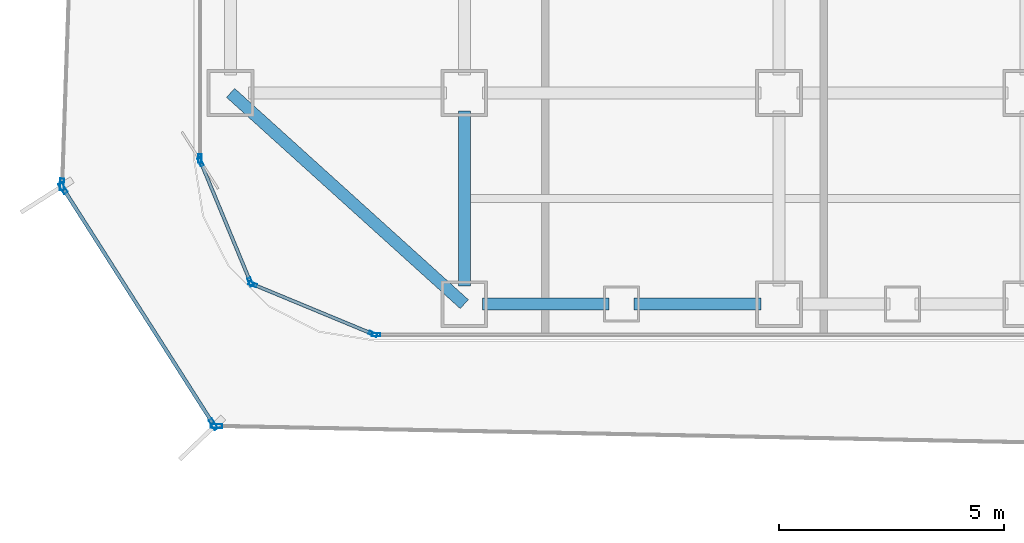
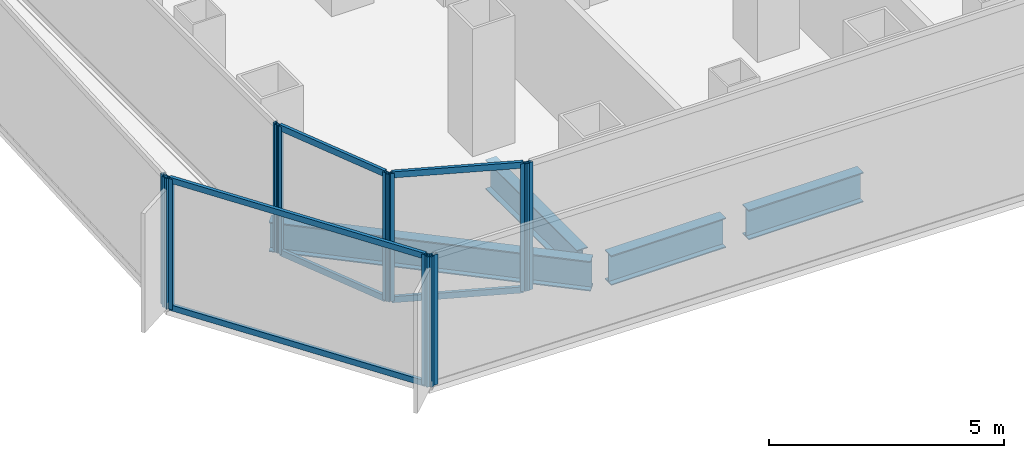
# One storey, part 2 of 22: 16 members, 4 beams, 7 elements without a shape of their own.
"""IFC4 building model written with IfcOpenShell, lengths in metres."""

from ifc_helpers import new_model, si_unit, direction, frame, origin, origin_2d, place, context, subcontext, project, spatial, hollow_rectangle, i_section, extrude, source, transform, mapped, material, layer, layer_set, material_profile, profile_set, type_object, element, aggregate, save


model = new_model("IFC4")

# Units and contexts
model_context = context("Model", 3, precision=1e-05, world=origin(), true_north=direction((0.0, 1.0)))
body_context = subcontext(model_context, "Body", "Model", "MODEL_VIEW")
ifc_project = project(units=[si_unit("LENGTHUNIT", "METRE"), si_unit("AREAUNIT", "SQUARE_METRE"), si_unit("VOLUMEUNIT", "CUBIC_METRE"), si_unit("PLANEANGLEUNIT", "RADIAN"), si_unit("MASSUNIT", "GRAM", prefix="KILO")], contexts=[model_context])

# Site, building, storey
site_placement = place(None, origin())
site = spatial("IfcSite", under=ifc_project, at=site_placement, CompositionType="ELEMENT")
building_placement = place(site_placement, origin())
building = spatial("IfcBuilding", under=site, at=building_placement, Name="Kolveth Station Tower", CompositionType="ELEMENT")
storey_placement = place(building_placement, frame((0.0, 0.0, 65.699951171875)))
storey = spatial("IfcBuildingStorey", under=building, at=storey_placement, Name="L17", CompositionType="ELEMENT", Elevation=65.699951171875)

# Beams
ifc_material_1 = material(Name="Steel S355", Category="steel")
ifc_material_profile_1 = material_profile(ifc_material_1, i_section(OverallWidth=0.26904296875, OverallDepth=0.77490234375, WebThickness=0.01708984375, FlangeThickness=0.0283203125, at=origin_2d()), Name="W760x220")
ifc_profile_set_1 = profile_set([ifc_material_profile_1], Name="Steel S355")
beam_type_1 = type_object("IfcBeamType", Name="Beam_SP1", PredefinedType="SPANDREL", material=ifc_profile_set_1)
shared_shape_1 = source(origin(), body_context, "Body", "SweptSolid", [
    extrude(i_section(OverallWidth=0.26904296875, OverallDepth=0.77490234375, WebThickness=0.01708984375, FlangeThickness=0.0283203125, at=origin_2d()), origin(), (0.0, 0.0, 1.0), 7.00927734375),
])
beam_1_placement = place(storey_placement, frame((0.800048828125, 5.5, -0.66748046875), z_axis=(0.741874009795, -0.670539300557, 0.0), x_axis=(0.670539300557, 0.741874009795, 0.0)))
element("IfcBeam", 1, at=beam_1_placement, inside=storey, type_object=beam_type_1, Name="L17 Corner Edge Girder BM-L17-CNR-SW", PredefinedType="SPANDREL", context=body_context, shape_type="MappedRepresentation", body=[
    mapped(shared_shape_1, transform((0.0, 0.0, 0.0), x_axis=(1.0, 0.0, 0.0), y_axis=(0.0, 1.0, 0.0), z_axis=(0.0, 0.0, 1.0), scale=1.0)),
])
shared_shape_2 = source(origin(), body_context, "Body", "SweptSolid", [
    extrude(i_section(OverallWidth=0.26904296875, OverallDepth=0.77490234375, WebThickness=0.01708984375, FlangeThickness=0.0283203125, at=origin_2d()), origin(), (0.0, 0.0, 1.0), 2.820068359375),
])
for number, where, z_axis, x_axis, name in (
    (2, (6.39990234375, 0.800048828125, -0.66748046875), (1.0, 0.0, 0.0), (0.0, 1.0, 0.0), "L17 Perimeter Spandrel BM-L17-PS-1"),
    (3, (9.780029296875, 0.800048828125, -0.66748046875), (1.0, 0.0, 0.0), (0.0, 1.0, 0.0), "L17 Perimeter Spandrel BM-L17-PS-2"),
):
    element("IfcBeam", number, at=place(storey_placement, frame(where, z_axis=z_axis, x_axis=x_axis)), inside=storey, type_object=beam_type_1, Name=name, PredefinedType="SPANDREL", context=body_context, shape_type="MappedRepresentation", body=[
        mapped(shared_shape_2, transform((0.0, 0.0, 0.0), x_axis=(1.0, 0.0, 0.0), y_axis=(0.0, 1.0, 0.0), z_axis=(0.0, 0.0, 1.0), scale=1.0)),
    ])
ifc_material_profile_2 = material_profile(ifc_material_1, i_section(OverallWidth=0.26708984375, OverallDepth=0.76611328125, WebThickness=0.014892578125, FlangeThickness=0.023681640625, at=origin_2d()), Name="W760x185")
ifc_profile_set_2 = profile_set([ifc_material_profile_2], Name="Steel S355")
beam_type_2 = type_object("IfcBeamType", Name="Beam_B3", PredefinedType="BEAM", material=ifc_profile_set_2)
shared_shape_3 = source(origin(), body_context, "Body", "SweptSolid", [
    extrude(i_section(OverallWidth=0.26708984375, OverallDepth=0.76611328125, WebThickness=0.014892578125, FlangeThickness=0.023681640625, at=origin_2d()), origin(), (0.0, 0.0, 1.0), 3.900146484375),
])
beam_2_placement = place(storey_placement, frame((6.0, 1.199951171875, -0.662841796875), z_axis=(0.0, 1.0, 0.0), x_axis=(-1.0, 0.0, 0.0)))
element("IfcBeam", 4, at=beam_2_placement, inside=storey, type_object=beam_type_2, Name="L17 Primary Girder BM-L17-GX60-1", PredefinedType="BEAM", context=body_context, shape_type="MappedRepresentation", body=[
    mapped(shared_shape_3, transform((0.0, 0.0, 0.0), x_axis=(1.0, 0.0, 0.0), y_axis=(0.0, 1.0, 0.0), z_axis=(0.0, 0.0, 1.0), scale=1.0)),
])

# Curtain wall, member
ifc_material_2 = material(Name="Aluminium 6063-T6 and low-E dark glass", Category="aluminium")
ifc_layer_1 = layer(ifc_material_2, 0.179931640625)
ifc_layer_set_1 = layer_set([ifc_layer_1], Name="Aluminium 6063-T6 and low-E dark glass")
curtain_wall_type_1 = type_object("IfcCurtainWallType", Name="CurtainWall_CW-Z1", PredefinedType="NOTDEFINED", material=ifc_layer_set_1)
curtain_wall_1_placement = place(storey_placement, origin())
curtain_wall_1 = element("IfcCurtainWall", 5, at=curtain_wall_1_placement, inside=storey, type_object=curtain_wall_type_1, Name="L17 Inner Thermal Curtain Wall 9", PredefinedType="NOTDEFINED")
ifc_material_3 = material(Name="Black anodized aluminium 6063-T6", Category="aluminium")
ifc_material_profile_3 = material_profile(ifc_material_3, hollow_rectangle(XDim=0.074951171875, YDim=0.18994140625, WallThickness=0.0048828125, at=origin_2d()), Name="ALU-75x190x5")
ifc_profile_set_3 = profile_set([ifc_material_profile_3], Name="Black anodized aluminium 6063-T6")
member_type_1 = type_object("IfcMemberType", Name="Mullion_ML1", PredefinedType="MULLION", material=ifc_profile_set_3)
shared_shape_4 = source(origin(), body_context, "Body", "SweptSolid", [
    extrude(hollow_rectangle(XDim=0.074951171875, YDim=0.18994140625, WallThickness=0.0048828125, at=origin_2d()), origin(), (0.0, 0.0, 1.0), 3.320068359375),
])
member_1_placement = place(storey_placement, frame((0.1201171875, 4.03759765625, 0.0), z_axis=(0.0, 0.0, 1.0), x_axis=(1.0, 0.0, 0.0)))
member_1 = element("IfcMember", 6, at=member_1_placement, type_object=member_type_1, Name="CW-Z1 mullion 2", PredefinedType="MULLION", context=body_context, shape_type="MappedRepresentation", body=[
    mapped(shared_shape_4, transform((0.0, 0.0, 0.0), x_axis=(1.0, 0.0, 0.0), y_axis=(0.0, 1.0, 0.0), z_axis=(0.0, 0.0, 1.0), scale=1.0)),
])
aggregate(curtain_wall_1, [member_1])

# Curtain wall, members
curtain_wall_2_placement = place(storey_placement, origin())
curtain_wall_2 = element("IfcCurtainWall", 7, at=curtain_wall_2_placement, inside=storey, type_object=curtain_wall_type_1, Name="L17 Inner Thermal Curtain Wall 10", PredefinedType="NOTDEFINED")
member_2_placement = place(storey_placement, frame((0.13427734375, 3.96533203125, 0.0), z_axis=(0.0, 0.0, 1.0), x_axis=(0.923883857728, 0.382672990201, 0.0)))
member_2 = element("IfcMember", 8, at=member_2_placement, type_object=member_type_1, Name="CW-Z1 mullion 1", PredefinedType="MULLION", context=body_context, shape_type="MappedRepresentation", body=[
    mapped(shared_shape_4, transform((0.0, 0.0, 0.0), x_axis=(1.0, 0.0, 0.0), y_axis=(0.0, 1.0, 0.0), z_axis=(0.0, 0.0, 1.0), scale=1.0)),
])
member_3_placement = place(storey_placement, frame((1.241943359375, 1.291015625, 0.0), z_axis=(0.0, 0.0, 1.0), x_axis=(0.923883857728, 0.382672990201, 0.0)))
member_3 = element("IfcMember", 9, at=member_3_placement, type_object=member_type_1, Name="CW-Z1 mullion 2", PredefinedType="MULLION", context=body_context, shape_type="MappedRepresentation", body=[
    mapped(shared_shape_4, transform((0.0, 0.0, 0.0), x_axis=(1.0, 0.0, 0.0), y_axis=(0.0, 1.0, 0.0), z_axis=(0.0, 0.0, 1.0), scale=1.0)),
])

curtain_wall_3_placement = place(storey_placement, origin())
curtain_wall_3 = element("IfcCurtainWall", 10, at=curtain_wall_3_placement, inside=storey, type_object=curtain_wall_type_1, Name="L17 Inner Thermal Curtain Wall 11", PredefinedType="NOTDEFINED")
member_4_placement = place(storey_placement, frame((1.291015625, 1.241943359375, 0.0), z_axis=(0.0, 0.0, 1.0), x_axis=(0.382672990201, 0.923883857728, 0.0)))
member_4 = element("IfcMember", 11, at=member_4_placement, type_object=member_type_1, Name="CW-Z1 mullion 1", PredefinedType="MULLION", context=body_context, shape_type="MappedRepresentation", body=[
    mapped(shared_shape_4, transform((0.0, 0.0, 0.0), x_axis=(1.0, 0.0, 0.0), y_axis=(0.0, 1.0, 0.0), z_axis=(0.0, 0.0, 1.0), scale=1.0)),
])
member_5_placement = place(storey_placement, frame((3.96533203125, 0.13427734375, 0.0), z_axis=(0.0, 0.0, 1.0), x_axis=(0.382672990201, 0.923883857728, 0.0)))
member_5 = element("IfcMember", 12, at=member_5_placement, type_object=member_type_1, Name="CW-Z1 mullion 2", PredefinedType="MULLION", context=body_context, shape_type="MappedRepresentation", body=[
    mapped(shared_shape_4, transform((0.0, 0.0, 0.0), x_axis=(1.0, 0.0, 0.0), y_axis=(0.0, 1.0, 0.0), z_axis=(0.0, 0.0, 1.0), scale=1.0)),
])

# Curtain wall, member
curtain_wall_4_placement = place(storey_placement, origin())
curtain_wall_4 = element("IfcCurtainWall", 13, at=curtain_wall_4_placement, inside=storey, type_object=curtain_wall_type_1, Name="L17 Inner Thermal Curtain Wall 12", PredefinedType="NOTDEFINED")
member_6_placement = place(storey_placement, frame((4.03759765625, 0.1201171875, 0.0), z_axis=(0.0, 0.0, 1.0), x_axis=(0.0, 1.0, 0.0)))
member_6 = element("IfcMember", 14, at=member_6_placement, type_object=member_type_1, Name="CW-Z1 mullion 1", PredefinedType="MULLION", context=body_context, shape_type="MappedRepresentation", body=[
    mapped(shared_shape_4, transform((0.0, 0.0, 0.0), x_axis=(1.0, 0.0, 0.0), y_axis=(0.0, 1.0, 0.0), z_axis=(0.0, 0.0, 1.0), scale=1.0)),
])
aggregate(curtain_wall_4, [member_6])

# Member
ifc_material_profile_4 = material_profile(ifc_material_3, hollow_rectangle(XDim=0.074951171875, YDim=0.159912109375, WallThickness=0.0048828125, at=origin_2d()), Name="ALU-75x160x5")
ifc_profile_set_4 = profile_set([ifc_material_profile_4], Name="Black anodized aluminium 6063-T6")
member_type_2 = type_object("IfcMemberType", Name="Transom_TR1", PredefinedType="USERDEFINED", material=ifc_profile_set_4)
shared_shape_5 = source(origin(), body_context, "Body", "SweptSolid", [
    extrude(hollow_rectangle(XDim=0.074951171875, YDim=0.159912109375, WallThickness=0.0048828125, at=origin_2d()), origin(), (0.0, 0.0, 1.0), 2.819580078125),
])
member_7_placement = place(storey_placement, frame((0.148681640625, 3.9306640625, 0.03759765625), z_axis=(0.382708655389, -0.923869084389, 0.0), x_axis=(0.923869084389, 0.382708655389, 0.0)))
member_7 = element("IfcMember", 15, at=member_7_placement, type_object=member_type_2, Name="CW-Z1 transom 1.1", ObjectType="TRANSOM", PredefinedType="USERDEFINED", context=body_context, shape_type="MappedRepresentation", body=[
    mapped(shared_shape_5, transform((0.0, 0.0, 0.0), x_axis=(1.0, 0.0, 0.0), y_axis=(0.0, 1.0, 0.0), z_axis=(0.0, 0.0, 1.0), scale=1.0)),
])

member_8_placement = place(storey_placement, frame((0.148681640625, 3.9306640625, 3.282470703125), z_axis=(0.382708655389, -0.923869084389, 0.0), x_axis=(0.923869084389, 0.382708655389, 0.0)))
member_8 = element("IfcMember", 16, at=member_8_placement, type_object=member_type_2, Name="CW-Z1 transom 1.2", ObjectType="TRANSOM", PredefinedType="USERDEFINED", context=body_context, shape_type="MappedRepresentation", body=[
    mapped(shared_shape_5, transform((0.0, 0.0, 0.0), x_axis=(1.0, 0.0, 0.0), y_axis=(0.0, 1.0, 0.0), z_axis=(0.0, 0.0, 1.0), scale=1.0)),
])

aggregate(curtain_wall_2, [member_2, member_3, member_7, member_8])

member_9_placement = place(storey_placement, frame((1.32568359375, 1.227783203125, 0.03759765625), z_axis=(0.923869084389, -0.382708655389, 0.0), x_axis=(0.382708655389, 0.923869084389, 0.0)))
member_9 = element("IfcMember", 17, at=member_9_placement, type_object=member_type_2, Name="CW-Z1 transom 1.1", ObjectType="TRANSOM", PredefinedType="USERDEFINED", context=body_context, shape_type="MappedRepresentation", body=[
    mapped(shared_shape_5, transform((0.0, 0.0, 0.0), x_axis=(1.0, 0.0, 0.0), y_axis=(0.0, 1.0, 0.0), z_axis=(0.0, 0.0, 1.0), scale=1.0)),
])

member_10_placement = place(storey_placement, frame((1.32568359375, 1.227783203125, 3.282470703125), z_axis=(0.923869084389, -0.382708655389, 0.0), x_axis=(0.382708655389, 0.923869084389, 0.0)))
member_10 = element("IfcMember", 18, at=member_10_placement, type_object=member_type_2, Name="CW-Z1 transom 1.2", ObjectType="TRANSOM", PredefinedType="USERDEFINED", context=body_context, shape_type="MappedRepresentation", body=[
    mapped(shared_shape_5, transform((0.0, 0.0, 0.0), x_axis=(1.0, 0.0, 0.0), y_axis=(0.0, 1.0, 0.0), z_axis=(0.0, 0.0, 1.0), scale=1.0)),
])

aggregate(curtain_wall_3, [member_4, member_5, member_9, member_10])

# Curtain wall, member
ifc_material_4 = material(Name="Black anodized aluminium 6063-T6 and dark solar glass", Category="aluminium")
ifc_layer_2 = layer(ifc_material_4, 0.159912109375)
ifc_layer_set_2 = layer_set([ifc_layer_2], Name="Black anodized aluminium 6063-T6 and dark solar glass")
curtain_wall_type_2 = type_object("IfcCurtainWallType", Name="OUTER SKIN CW-OS", PredefinedType="NOTDEFINED", material=ifc_layer_set_2)
curtain_wall_5_placement = place(storey_placement, origin())
curtain_wall_5 = element("IfcCurtainWall", 19, at=curtain_wall_5_placement, inside=storey, type_object=curtain_wall_type_2, Name="L17 Outer Ventilated Skin Curtain Wall 6", PredefinedType="NOTDEFINED")
ifc_material_profile_5 = material_profile(ifc_material_3, hollow_rectangle(XDim=0.090087890625, YDim=0.260009765625, WallThickness=0.0048828125, at=origin_2d()), Name="ALU-90x260x5")
ifc_profile_set_5 = profile_set([ifc_material_profile_5], Name="Black anodized aluminium 6063-T6")
member_type_3 = type_object("IfcMemberType", Name="FIN MULLION ML-OS", PredefinedType="MULLION", material=ifc_profile_set_5)
shared_shape_6 = source(origin(), body_context, "Body", "SweptSolid", [
    extrude(hollow_rectangle(XDim=0.090087890625, YDim=0.260009765625, WallThickness=0.0048828125, at=origin_2d()), origin(), (0.0, 0.0, 1.0), 3.39013671875),
])
member_11_placement = place(storey_placement, frame((-2.95166015625, 3.464599609375, 0.0), z_axis=(0.0, 0.0, 1.0), x_axis=(0.999401731036, -0.034585835278, 0.0)))
member_11 = element("IfcMember", 20, at=member_11_placement, type_object=member_type_3, Name="CW-OS mullion 2", PredefinedType="MULLION", context=body_context, shape_type="MappedRepresentation", body=[
    mapped(shared_shape_6, transform((0.0, 0.0, 0.0), x_axis=(1.0, 0.0, 0.0), y_axis=(0.0, 1.0, 0.0), z_axis=(0.0, 0.0, 1.0), scale=1.0)),
])
aggregate(curtain_wall_5, [member_11])

# Curtain wall, members
curtain_wall_6_placement = place(storey_placement, origin())
curtain_wall_6 = element("IfcCurtainWall", 21, at=curtain_wall_6_placement, inside=storey, type_object=curtain_wall_type_2, Name="L17 Outer Ventilated Skin Curtain Wall 7", PredefinedType="NOTDEFINED")
member_12_placement = place(storey_placement, frame((-2.928955078125, 3.381591796875, 0.0), z_axis=(0.0, 0.0, 1.0), x_axis=(0.843470568179, 0.537175390925, 0.0)))
member_12 = element("IfcMember", 22, at=member_12_placement, type_object=member_type_3, Name="CW-OS mullion 1", PredefinedType="MULLION", context=body_context, shape_type="MappedRepresentation", body=[
    mapped(shared_shape_6, transform((0.0, 0.0, 0.0), x_axis=(1.0, 0.0, 0.0), y_axis=(0.0, 1.0, 0.0), z_axis=(0.0, 0.0, 1.0), scale=1.0)),
])
member_13_placement = place(storey_placement, frame((0.418212890625, -1.8740234375, 0.0), z_axis=(0.0, 0.0, 1.0), x_axis=(0.843470568179, 0.537175390925, 0.0)))
member_13 = element("IfcMember", 23, at=member_13_placement, type_object=member_type_3, Name="CW-OS mullion 2", PredefinedType="MULLION", context=body_context, shape_type="MappedRepresentation", body=[
    mapped(shared_shape_6, transform((0.0, 0.0, 0.0), x_axis=(1.0, 0.0, 0.0), y_axis=(0.0, 1.0, 0.0), z_axis=(0.0, 0.0, 1.0), scale=1.0)),
])

# Curtain wall, member
curtain_wall_7_placement = place(storey_placement, origin())
curtain_wall_7 = element("IfcCurtainWall", 24, at=curtain_wall_7_placement, inside=storey, type_object=curtain_wall_type_2, Name="L17 Outer Ventilated Skin Curtain Wall 8", PredefinedType="NOTDEFINED")
member_14_placement = place(storey_placement, frame((0.4873046875, -1.912841796875, 0.0), z_axis=(0.0, 0.0, 1.0), x_axis=(0.020201686712, 0.999795925104, 0.0)))
member_14 = element("IfcMember", 25, at=member_14_placement, type_object=member_type_3, Name="CW-OS mullion 1", PredefinedType="MULLION", context=body_context, shape_type="MappedRepresentation", body=[
    mapped(shared_shape_6, transform((0.0, 0.0, 0.0), x_axis=(1.0, 0.0, 0.0), y_axis=(0.0, 1.0, 0.0), z_axis=(0.0, 0.0, 1.0), scale=1.0)),
])
aggregate(curtain_wall_7, [member_14])

# Member
ifc_material_profile_6 = material_profile(ifc_material_3, hollow_rectangle(XDim=0.080078125, YDim=0.14990234375, WallThickness=0.0048828125, at=origin_2d()), Name="ALU-80x150x5")
ifc_profile_set_6 = profile_set([ifc_material_profile_6], Name="Black anodized aluminium 6063-T6")
member_type_4 = type_object("IfcMemberType", Name="Transom_TR-OS", PredefinedType="USERDEFINED", material=ifc_profile_set_6)
shared_shape_7 = source(origin(), body_context, "Body", "SweptSolid", [
    extrude(hollow_rectangle(XDim=0.080078125, YDim=0.14990234375, WallThickness=0.0048828125, at=origin_2d()), origin(), (0.0, 0.0, 1.0), 6.14111328125),
])
member_15_placement = place(storey_placement, frame((-2.90478515625, 3.34375, 0.0400390625), z_axis=(0.537166137681, -0.843476461159, 0.0), x_axis=(0.843476461159, 0.537166137681, 0.0)))
member_15 = element("IfcMember", 26, at=member_15_placement, type_object=member_type_4, Name="CW-OS transom 1.1", ObjectType="TRANSOM", PredefinedType="USERDEFINED", context=body_context, shape_type="MappedRepresentation", body=[
    mapped(shared_shape_7, transform((0.0, 0.0, 0.0), x_axis=(1.0, 0.0, 0.0), y_axis=(0.0, 1.0, 0.0), z_axis=(0.0, 0.0, 1.0), scale=1.0)),
])

member_16_placement = place(storey_placement, frame((-2.90478515625, 3.34375, 3.35009765625), z_axis=(0.537166137681, -0.843476461159, 0.0), x_axis=(0.843476461159, 0.537166137681, 0.0)))
member_16 = element("IfcMember", 27, at=member_16_placement, type_object=member_type_4, Name="CW-OS transom 1.2", ObjectType="TRANSOM", PredefinedType="USERDEFINED", context=body_context, shape_type="MappedRepresentation", body=[
    mapped(shared_shape_7, transform((0.0, 0.0, 0.0), x_axis=(1.0, 0.0, 0.0), y_axis=(0.0, 1.0, 0.0), z_axis=(0.0, 0.0, 1.0), scale=1.0)),
])

aggregate(curtain_wall_6, [member_12, member_13, member_15, member_16])

save(model, "model.ifc")
